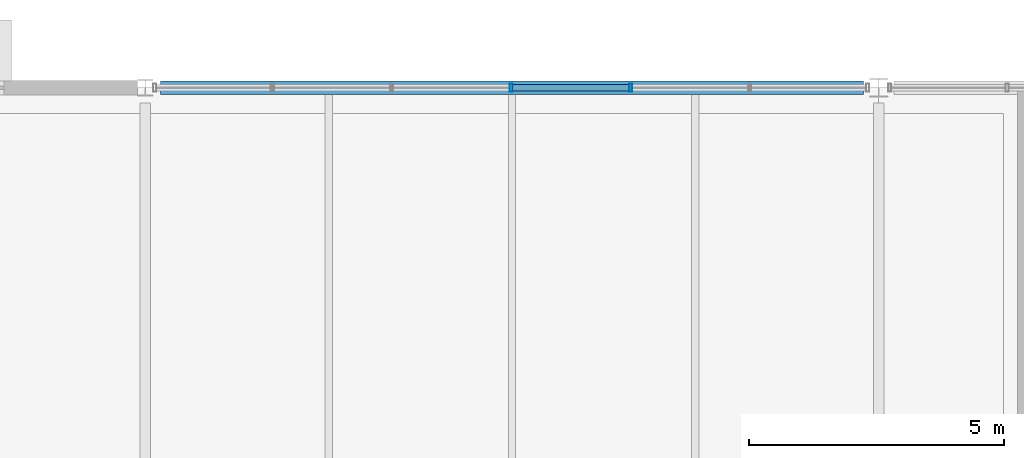
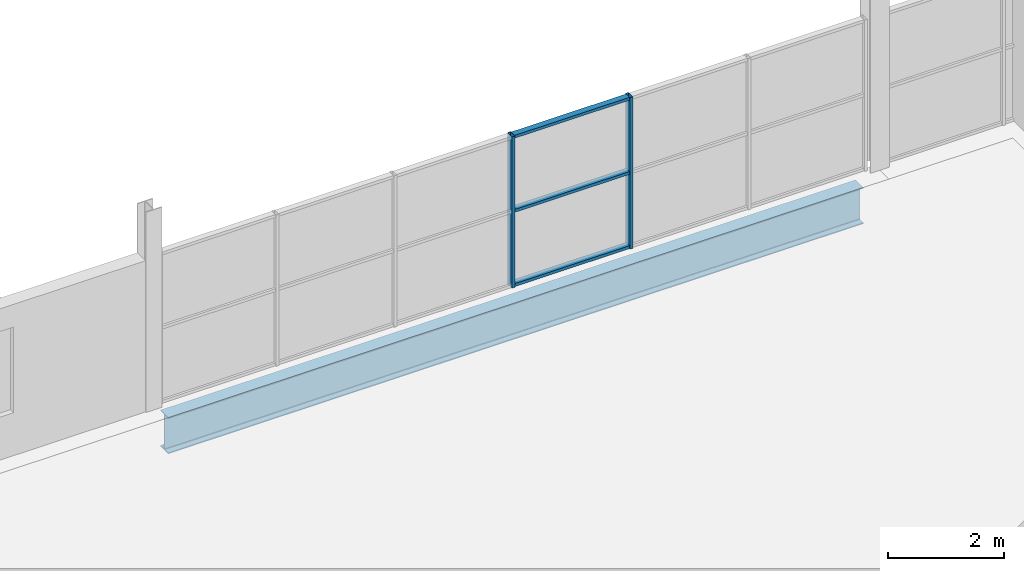
# One storey, part 62 of 161: 5 members, 1 beam, 1 element without a shape of its own.
"""IFC4 building model written with IfcOpenShell, lengths in metres."""

from ifc_helpers import new_model, si_unit, direction, frame, origin, origin_2d, place, context, subcontext, project, spatial, hollow_rectangle, i_section, extrude, material, material_profile, profile_set, type_object, element, aggregate, save


model = new_model("IFC4")

# Units and contexts
model_context = context("Model", 3, precision=1e-05, world=origin(), true_north=direction((0.0, 1.0)))
body_context = subcontext(model_context, "Body", "Model", "MODEL_VIEW")
ifc_project = project(units=[si_unit("LENGTHUNIT", "METRE"), si_unit("AREAUNIT", "SQUARE_METRE"), si_unit("VOLUMEUNIT", "CUBIC_METRE"), si_unit("PLANEANGLEUNIT", "RADIAN"), si_unit("MASSUNIT", "GRAM", prefix="KILO"), si_unit("THERMODYNAMICTEMPERATUREUNIT", "KELVIN")], contexts=[model_context])

# Site, building, storey
site_placement = place(None, origin())
site = spatial("IfcSite", under=ifc_project, at=site_placement, CompositionType="ELEMENT")
building_placement = place(site_placement, origin())
building = spatial("IfcBuilding", under=site, at=building_placement, Name="Nduvali Passage Aquatics Centre", CompositionType="ELEMENT")
storey_placement = place(building_placement, frame((0.0, 0.0, 4.800048828125)))
storey = spatial("IfcBuildingStorey", under=building, at=storey_placement, Name="L01", CompositionType="ELEMENT", Elevation=4.800048828125)

# Curtain wall, members
ifc_material_1 = material(Name="Aluminium EN AW-6063 T6", Category="aluminium")
curtain_wall_type = type_object("IfcCurtainWallType", Name="ENV-CW-WELL", PredefinedType="NOTDEFINED", material=ifc_material_1)
curtain_wall_placement = place(storey_placement, origin())
curtain_wall = element("IfcCurtainWall", 1, at=curtain_wall_placement, inside=storey, type_object=curtain_wall_type, Name="L01 North Avenue Fitness CW 100", PredefinedType="NOTDEFINED")
ifc_material_profile_1 = material_profile(ifc_material_1, hollow_rectangle(XDim=0.06005859375, YDim=0.159912109375, WallThickness=0.00390625, at=origin_2d()), Name="ALU MULLION 60x160x4")
ifc_profile_set_1 = profile_set([ifc_material_profile_1], Name="Aluminium EN AW-6063 T6")
member_type_1 = type_object("IfcMemberType", Name="ENV-MEM-MUL60", PredefinedType="MULLION", material=ifc_profile_set_1)
member_1_placement = place(storey_placement, frame((61.184814453125, 117.60009765625, 0.0), z_axis=(0.0, 0.0, 1.0), x_axis=(1.0, 0.0, 0.0)))
member_1 = element("IfcMember", 2, at=member_1_placement, type_object=member_type_1, Name="North Avenue Fitness CW Mullion 4", PredefinedType="MULLION", context=body_context, shape_type="SweptSolid", body=[
    extrude(hollow_rectangle(XDim=0.06005859375, YDim=0.159912109375, WallThickness=0.00390625, at=origin_2d()), origin(), (0.0, 0.0, 1.0), 3.173828125),
])
member_2_placement = place(storey_placement, frame((63.528076171875, 117.60009765625, 0.0), z_axis=(0.0, 0.0, 1.0), x_axis=(1.0, 0.0, 0.0)))
member_2 = element("IfcMember", 3, at=member_2_placement, type_object=member_type_1, Name="North Avenue Fitness CW Mullion 5", PredefinedType="MULLION", context=body_context, shape_type="SweptSolid", body=[
    extrude(hollow_rectangle(XDim=0.06005859375, YDim=0.159912109375, WallThickness=0.00390625, at=origin_2d()), origin(), (0.0, 0.0, 1.0), 3.173828125),
])
ifc_material_profile_2 = material_profile(ifc_material_1, hollow_rectangle(XDim=0.1201171875, YDim=0.06005859375, WallThickness=0.00390625, at=origin_2d()), Name="ALU TRANSOM 120x60x4")
ifc_profile_set_2 = profile_set([ifc_material_profile_2], Name="Aluminium EN AW-6063 T6")
member_type_2 = type_object("IfcMemberType", Name="ENV-MEM-TRN60", PredefinedType="USERDEFINED", material=ifc_profile_set_2)
member_3_placement = place(storey_placement, frame((61.214599609375, 117.60009765625, 0.030029296875), z_axis=(1.0, 0.0, 0.0), x_axis=(0.0, 1.0, 0.0)))
member_3 = element("IfcMember", 4, at=member_3_placement, type_object=member_type_2, Name="North Avenue Fitness CW Transom B4-R0", ObjectType="TRANSOM", PredefinedType="USERDEFINED", context=body_context, shape_type="SweptSolid", body=[
    extrude(hollow_rectangle(XDim=0.1201171875, YDim=0.06005859375, WallThickness=0.00390625, at=origin_2d()), origin(), (0.0, 0.0, 1.0), 2.283447265625),
])
member_4_placement = place(storey_placement, frame((61.214599609375, 117.60009765625, 1.5869140625), z_axis=(1.0, 0.0, 0.0), x_axis=(0.0, 1.0, 0.0)))
member_4 = element("IfcMember", 5, at=member_4_placement, type_object=member_type_2, Name="North Avenue Fitness CW Transom B4-R1", ObjectType="TRANSOM", PredefinedType="USERDEFINED", context=body_context, shape_type="SweptSolid", body=[
    extrude(hollow_rectangle(XDim=0.1201171875, YDim=0.06005859375, WallThickness=0.00390625, at=origin_2d()), origin(), (0.0, 0.0, 1.0), 2.283447265625),
])
member_5_placement = place(storey_placement, frame((61.214599609375, 117.60009765625, 3.143798828125), z_axis=(1.0, 0.0, 0.0), x_axis=(0.0, 1.0, 0.0)))
member_5 = element("IfcMember", 6, at=member_5_placement, type_object=member_type_2, Name="North Avenue Fitness CW Transom B4-R2", ObjectType="TRANSOM", PredefinedType="USERDEFINED", context=body_context, shape_type="SweptSolid", body=[
    extrude(hollow_rectangle(XDim=0.1201171875, YDim=0.06005859375, WallThickness=0.00390625, at=origin_2d()), origin(), (0.0, 0.0, 1.0), 2.283447265625),
])
aggregate(curtain_wall, [member_1, member_2, member_3, member_4, member_5])

# Beam
ifc_material_2 = material(Name="Steel S355", Category="steel")
ifc_material_profile_3 = material_profile(ifc_material_2, i_section(OverallWidth=0.2666015625, OverallDepth=0.76220703125, WebThickness=0.014404296875, FlangeThickness=0.021484375, FilletRadius=0.0166015625, at=origin_2d()), Name="UKB 762x267x173")
ifc_profile_set_3 = profile_set([ifc_material_profile_3], Name="Steel S355")
beam_type = type_object("IfcBeamType", Name="STR-BM-UKB762-EXT", PredefinedType="BEAM", material=ifc_profile_set_3)
beam_placement = place(storey_placement, frame((54.300048828125, 117.60009765625, -0.6650390625), z_axis=(1.0, 0.0, 0.0), x_axis=(0.0, 1.0, 0.0)))
element("IfcBeam", 7, at=beam_placement, inside=storey, type_object=beam_type, Name="L01 Primary X-Girder B4CE-0552", PredefinedType="BEAM", context=body_context, shape_type="SweptSolid", body=[
    extrude(i_section(OverallWidth=0.2666015625, OverallDepth=0.76220703125, WebThickness=0.014404296875, FlangeThickness=0.021484375, FilletRadius=0.0166015625, at=origin_2d()), origin(), (0.0, 0.0, 1.0), 13.800048828125),
])

save(model, "model.ifc")
